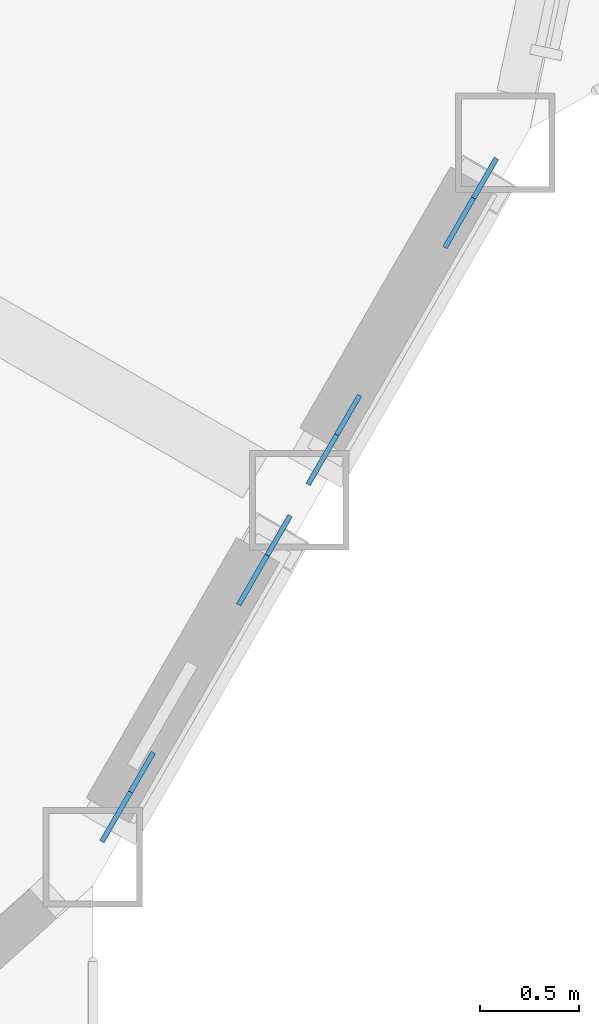
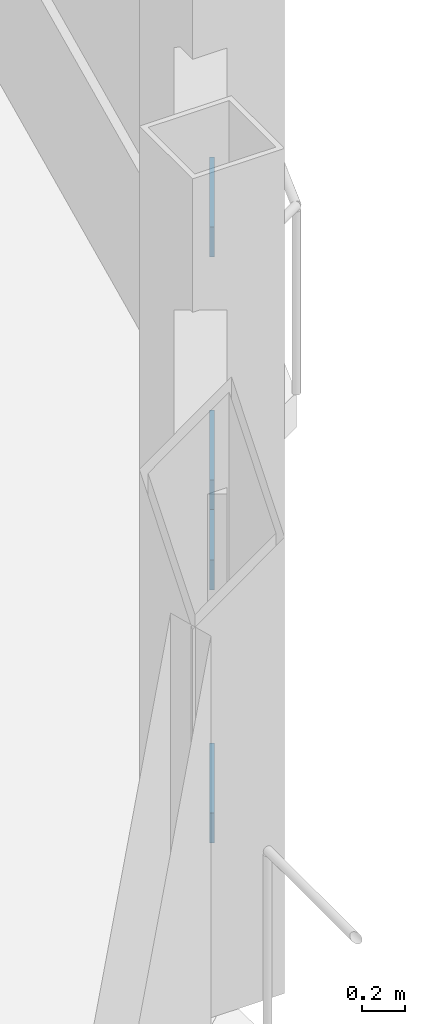
# One storey, part 20 of 26: 4 discrete accessories.
"""IFC4 building model written with IfcOpenShell, lengths in metres."""

from ifc_helpers import new_model, si_unit, direction, frame, origin, origin_2d, place, context, subcontext, project, spatial, rectangle, extrude, material, material_profile, profile_set, type_object, element, save


model = new_model("IFC4")

# Units and contexts
model_context = context("Model", 3, precision=1e-05, world=origin(), true_north=direction((0.0, 1.0)))
body_context = subcontext(model_context, "Body", "Model", "MODEL_VIEW")
ifc_project = project(units=[si_unit("LENGTHUNIT", "METRE"), si_unit("AREAUNIT", "SQUARE_METRE"), si_unit("VOLUMEUNIT", "CUBIC_METRE"), si_unit("PLANEANGLEUNIT", "RADIAN"), si_unit("MASSUNIT", "GRAM", prefix="KILO")], contexts=[model_context])

# Site, building, storey
site_placement = place(None, origin())
site = spatial("IfcSite", under=ifc_project, at=site_placement, CompositionType="ELEMENT")
building_placement = place(site_placement, origin())
building = spatial("IfcBuilding", under=site, at=building_placement, Name="Cormorant Prow Tower", CompositionType="ELEMENT")
storey_placement = place(building_placement, frame((0.0, 0.0, 401.800048828125)))
storey = spatial("IfcBuildingStorey", under=building, at=storey_placement, Name="L92", CompositionType="ELEMENT", Elevation=401.800048828125)

# Discrete accessories
ifc_material = material(Name="Structural steel ASTM A500 Gr C", Category="steel")
ifc_material_profile = material_profile(ifc_material, rectangle(XDim=0.02490234375, YDim=0.405029296875, at=origin_2d()), Name="Gusset plate 25x405")
ifc_profile_set = profile_set([ifc_material_profile], Name="Structural steel ASTM A500 Gr C")
discrete_accessory_type = type_object("IfcDiscreteAccessoryType", Name="Gusset plate 25x405", PredefinedType="BRACKET", material=ifc_profile_set)
for number, where, z_axis, x_axis, name in (
    (1, (26.246826171875, -16.978271484375, 0.941162109375), (-0.411595697368, -0.712269842394, -0.568560158228), (0.865832418869, -0.500334110806, 0.0), "Gusset plate GP3 L92.ESE00.g0"),
    (2, (26.7900390625, -16.037109375, 1.692626953125), (0.411595697368, 0.712269842394, 0.568560158228), (-0.865832418869, 0.500334110806, 0.0), "Gusset plate GP3 L92.ESE00.g1"),
    (3, (27.28369140625, -15.182373046875, 0.941162109375), (-0.411595697368, -0.712269842394, -0.568560158228), (0.865832418869, -0.500334110806, 0.0), "Gusset plate GP3 L92.ESE01.g0"),
    (4, (27.8271484375, -14.2412109375, 1.692626953125), (0.411016012482, 0.712474276306, 0.568723344945), (-0.866199709737, 0.499697971631, 0.0), "Gusset plate GP3 L92.ESE01.g1"),
):
    element("IfcDiscreteAccessory", number, at=place(storey_placement, frame(where, z_axis=z_axis, x_axis=x_axis)), inside=storey, type_object=discrete_accessory_type, Name=name, PredefinedType="BRACKET", context=body_context, shape_type="SweptSolid", body=[
        extrude(rectangle(XDim=0.02490234375, YDim=0.405029296875, at=origin_2d()), origin(), (0.0, 0.0, 1.0), 0.349853515625),
    ])

save(model, "model.ifc")
